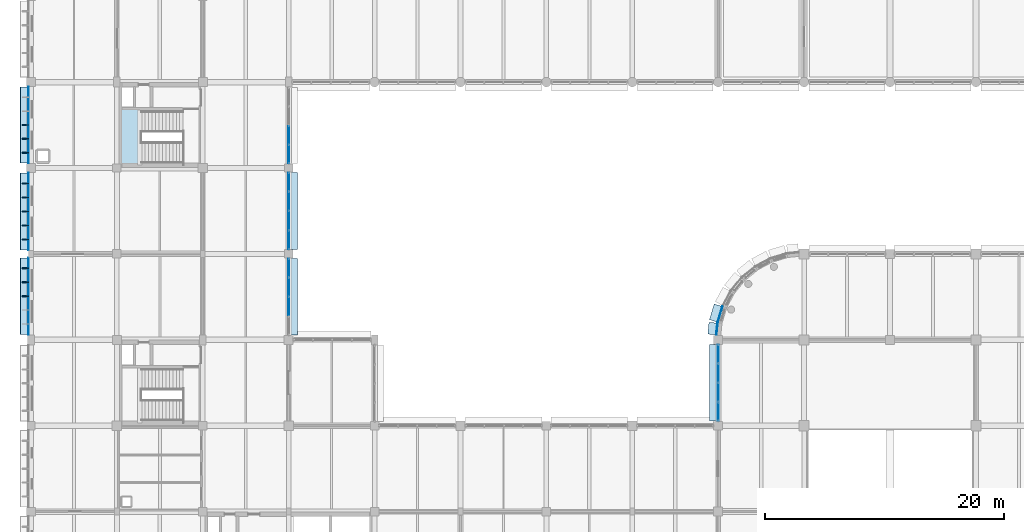
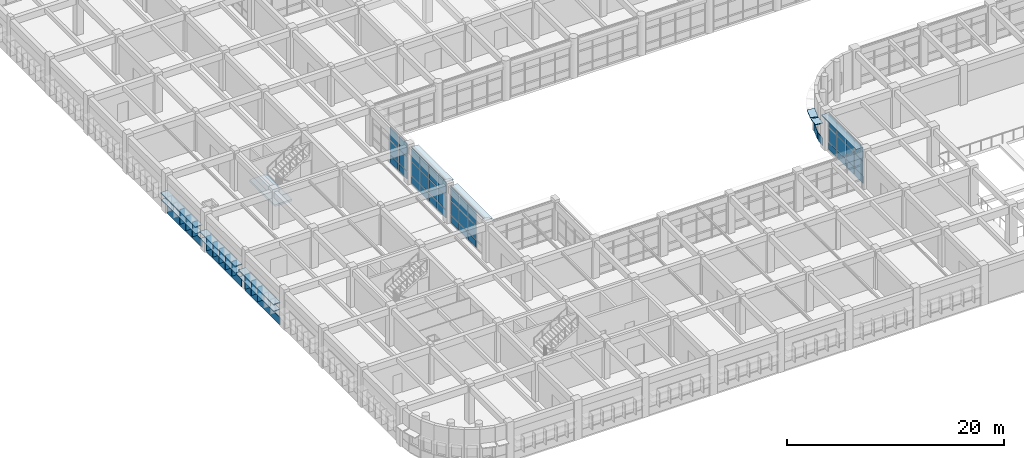
# One storey, part 120 of 171: 66 plates, 1 slab, 5 elements without a shape of their own.
"""IFC4 building model written with IfcOpenShell, lengths in metres."""

from ifc_helpers import new_model, si_unit, direction, frame, origin, origin_2d, place, context, subcontext, project, spatial, polyline, rectangle, outline, extrude, material, layer, layer_set, type_object, element, aggregate, save


model = new_model("IFC4")

# Units and contexts
model_context = context("Model", 3, precision=1e-05, world=origin(), true_north=direction((0.0, 1.0)))
body_context = subcontext(model_context, "Body", "Model", "MODEL_VIEW")
ifc_project = project(units=[si_unit("LENGTHUNIT", "METRE"), si_unit("AREAUNIT", "SQUARE_METRE"), si_unit("VOLUMEUNIT", "CUBIC_METRE"), si_unit("PLANEANGLEUNIT", "RADIAN"), si_unit("MASSUNIT", "GRAM", prefix="KILO")], contexts=[model_context])

# Site, building, storey
site_placement = place(None, origin())
site = spatial("IfcSite", under=ifc_project, at=site_placement, CompositionType="ELEMENT")
building_placement = place(site_placement, origin())
building = spatial("IfcBuilding", under=site, at=building_placement, Name="Thalmaran Polytechnic", CompositionType="ELEMENT")
storey_placement = place(building_placement, frame((0.0, 0.0, 5.39990234375)))
storey = spatial("IfcBuildingStorey", under=building, at=storey_placement, Name="L01", CompositionType="ELEMENT", Elevation=5.39990234375)

# Plates
ifc_material_1 = material(Name="Anodised aluminium spandrel band", Category="aluminium")
ifc_layer_1 = layer(ifc_material_1, 0.054931640625, Name="Anodised aluminium spandrel band")
ifc_layer_set_1 = layer_set([ifc_layer_1], Name="Anodised aluminium spandrel band")
plate_type_1 = type_object("IfcPlateType", Name="PT-BD01", PredefinedType="SHEET", material=ifc_layer_set_1)
plate_1_placement = place(storey_placement, frame((-0.195068359375, 32.46240234375, 0.020263671875), z_axis=(0.0, 0.0, 1.0), x_axis=(0.0, 1.0, 0.0)))
element("IfcPlate", 1, at=plate_1_placement, inside=storey, type_object=plate_type_1, Name="Streamline Horizontal Spandrel Band L01-005", PredefinedType="SHEET", context=body_context, shape_type="SweptSolid", body=[
    extrude(rectangle(XDim=6.43505859375, YDim=0.054931640625, at=origin_2d()), origin(), (0.0, 0.0, 1.0), 0.8798828125),
])
plate_2_placement = place(storey_placement, frame((-0.195068359375, 39.554931640625, 0.020263671875), z_axis=(0.0, 0.0, 1.0), x_axis=(0.0, 1.0, 0.0)))
element("IfcPlate", 2, at=plate_2_placement, inside=storey, type_object=plate_type_1, Name="Streamline Horizontal Spandrel Band L01-006", PredefinedType="SHEET", context=body_context, shape_type="SweptSolid", body=[
    extrude(rectangle(XDim=6.469970703125, YDim=0.054931640625, at=origin_2d()), origin(), (0.0, 0.0, 1.0), 0.8798828125),
])
plate_3_placement = place(storey_placement, frame((-0.195068359375, 46.8076171875, 0.020263671875), z_axis=(0.0, 0.0, 1.0), x_axis=(0.0, 1.0, 0.0)))
element("IfcPlate", 3, at=plate_3_placement, inside=storey, type_object=plate_type_1, Name="Streamline Horizontal Spandrel Band L01-007", PredefinedType="SHEET", context=body_context, shape_type="SweptSolid", body=[
    extrude(rectangle(XDim=6.39501953125, YDim=0.054931640625, at=origin_2d()), origin(), (0.0, 0.0, 1.0), 0.8798828125),
])
plate_4_placement = place(storey_placement, frame((57.493408203125, 29.7080078125, 0.020263671875), z_axis=(0.0, 0.0, 1.0), x_axis=(0.09801714033, 0.995184726672, 0.0)))
element("IfcPlate", 4, at=plate_4_placement, inside=storey, type_object=plate_type_1, Name="Streamline Horizontal Spandrel Band L01-180", PredefinedType="SHEET", context=body_context, shape_type="SweptSolid", body=[
    extrude(rectangle(XDim=0.996337890625, YDim=0.054931640625, at=origin_2d()), origin(), (0.0, 0.0, 1.0), 0.8798828125),
])
plate_5_placement = place(storey_placement, frame((57.756591796875, 30.9365234375, 0.020263671875), z_axis=(0.0, 0.0, 1.0), x_axis=(0.290284677254, 0.956940335732, 0.0)))
element("IfcPlate", 5, at=plate_5_placement, inside=storey, type_object=plate_type_1, Name="Streamline Horizontal Spandrel Band L01-181", PredefinedType="SHEET", context=body_context, shape_type="SweptSolid", body=[
    extrude(rectangle(XDim=1.371337890625, YDim=0.054931640625, at=origin_2d()), origin(), (0.0, 0.0, 1.0), 0.8798828125),
])
ifc_material_2 = material(Name="Anodised aluminium sun-hood eyebrow", Category="aluminium")
ifc_layer_2 = layer(ifc_material_2, 0.0849609375, Name="Anodised aluminium sun-hood eyebrow")
ifc_layer_set_2 = layer_set([ifc_layer_2], Name="Anodised aluminium sun-hood eyebrow")
plate_type_2 = type_object("IfcPlateType", Name="PT-EB01", PredefinedType="SHEET", material=ifc_layer_set_2)
plate_6_placement = place(storey_placement, frame((-0.5400390625, 32.46240234375, 2.517578125), z_axis=(0.0, 0.0, 1.0), x_axis=(0.0, 1.0, 0.0)))
element("IfcPlate", 6, at=plate_6_placement, inside=storey, type_object=plate_type_2, Name="Streamline Sun-Hood Eyebrow L01-005", PredefinedType="SHEET", context=body_context, shape_type="SweptSolid", body=[
    extrude(rectangle(XDim=6.43505859375, YDim=0.760009765625, at=origin_2d()), origin(), (0.0, 0.0, 1.0), 0.0849609375),
])
plate_7_placement = place(storey_placement, frame((-0.52001953125, 32.46240234375, 1.74267578125), z_axis=(0.0, 0.0, 1.0), x_axis=(0.0, 1.0, 0.0)))
element("IfcPlate", 7, at=plate_7_placement, inside=storey, type_object=plate_type_2, Name="Abu Dhabi Horizontal Solar Louvre L01-005", PredefinedType="SHEET", context=body_context, shape_type="SweptSolid", body=[
    extrude(rectangle(XDim=6.39501953125, YDim=0.719970703125, at=origin_2d()), origin(), (0.0, 0.0, 1.0), 0.074951171875),
])
plate_8_placement = place(storey_placement, frame((-0.5400390625, 39.554931640625, 2.517578125), z_axis=(0.0, 0.0, 1.0), x_axis=(0.0, 1.0, 0.0)))
element("IfcPlate", 8, at=plate_8_placement, inside=storey, type_object=plate_type_2, Name="Streamline Sun-Hood Eyebrow L01-006", PredefinedType="SHEET", context=body_context, shape_type="SweptSolid", body=[
    extrude(rectangle(XDim=6.469970703125, YDim=0.760009765625, at=origin_2d()), origin(), (0.0, 0.0, 1.0), 0.0849609375),
])
plate_9_placement = place(storey_placement, frame((-0.52001953125, 39.554931640625, 1.74267578125), z_axis=(0.0, 0.0, 1.0), x_axis=(0.0, 1.0, 0.0)))
element("IfcPlate", 9, at=plate_9_placement, inside=storey, type_object=plate_type_2, Name="Abu Dhabi Horizontal Solar Louvre L01-006", PredefinedType="SHEET", context=body_context, shape_type="SweptSolid", body=[
    extrude(rectangle(XDim=6.429931640625, YDim=0.719970703125, at=origin_2d()), origin(), (0.0, 0.0, 1.0), 0.074951171875),
])
plate_10_placement = place(storey_placement, frame((-0.5400390625, 46.8076171875, 2.517578125), z_axis=(0.0, 0.0, 1.0), x_axis=(0.0, 1.0, 0.0)))
element("IfcPlate", 10, at=plate_10_placement, inside=storey, type_object=plate_type_2, Name="Streamline Sun-Hood Eyebrow L01-007", PredefinedType="SHEET", context=body_context, shape_type="SweptSolid", body=[
    extrude(rectangle(XDim=6.39501953125, YDim=0.760009765625, at=origin_2d()), origin(), (0.0, 0.0, 1.0), 0.0849609375),
])
plate_11_placement = place(storey_placement, frame((-0.52001953125, 46.8076171875, 1.74267578125), z_axis=(0.0, 0.0, 1.0), x_axis=(0.0, 1.0, 0.0)))
element("IfcPlate", 11, at=plate_11_placement, inside=storey, type_object=plate_type_2, Name="Abu Dhabi Horizontal Solar Louvre L01-007", PredefinedType="SHEET", context=body_context, shape_type="SweptSolid", body=[
    extrude(rectangle(XDim=6.35498046875, YDim=0.719970703125, at=origin_2d()), origin(), (0.0, 0.0, 1.0), 0.074951171875),
])
plate_12_placement = place(storey_placement, frame((21.9599609375, 39.60498046875, 4.107666015625), z_axis=(0.0, 0.0, 1.0), x_axis=(0.0, -1.0, 0.0)))
element("IfcPlate", 12, at=plate_12_placement, inside=storey, type_object=plate_type_2, Name="Streamline Sun-Hood Eyebrow L01-CW159", PredefinedType="SHEET", context=body_context, shape_type="SweptSolid", body=[
    extrude(rectangle(XDim=6.449951171875, YDim=0.760009765625, at=origin_2d()), origin(), (0.0, 0.0, 1.0), 0.0849609375),
])
plate_13_placement = place(storey_placement, frame((21.9599609375, 32.407470703125, 4.107666015625), z_axis=(0.0, 0.0, 1.0), x_axis=(0.0, -1.0, 0.0)))
element("IfcPlate", 13, at=plate_13_placement, inside=storey, type_object=plate_type_2, Name="Streamline Sun-Hood Eyebrow L01-CW160", PredefinedType="SHEET", context=body_context, shape_type="SweptSolid", body=[
    extrude(rectangle(XDim=6.425048828125, YDim=0.760009765625, at=origin_2d()), origin(), (0.0, 0.0, 1.0), 0.0849609375),
])
plate_14_placement = place(storey_placement, frame((57.239990234375, 25.199951171875, 4.107666015625), z_axis=(0.0, 0.0, 1.0), x_axis=(0.0, 1.0, 0.0)))
element("IfcPlate", 14, at=plate_14_placement, inside=storey, type_object=plate_type_2, Name="Streamline Sun-Hood Eyebrow L01-CW167", PredefinedType="SHEET", context=body_context, shape_type="SweptSolid", body=[
    extrude(rectangle(XDim=6.409912109375, YDim=0.760009765625, at=origin_2d()), origin(), (0.0, 0.0, 1.0), 0.0849609375),
])
plate_15_placement = place(storey_placement, frame((57.150146484375, 29.741943359375, 2.517578125), z_axis=(0.0, 0.0, 1.0), x_axis=(0.09801714033, 0.995184726672, 0.0)))
element("IfcPlate", 15, at=plate_15_placement, inside=storey, type_object=plate_type_2, Name="Streamline Sun-Hood Eyebrow L01-180", PredefinedType="SHEET", context=body_context, shape_type="SweptSolid", body=[
    extrude(rectangle(XDim=0.996337890625, YDim=0.760009765625, at=origin_2d()), origin(), (0.0, 0.0, 1.0), 0.0849609375),
])
plate_16_placement = place(storey_placement, frame((57.426513671875, 31.03662109375, 2.517578125), z_axis=(0.0, 0.0, 1.0), x_axis=(0.290284677254, 0.956940335732, 0.0)))
element("IfcPlate", 16, at=plate_16_placement, inside=storey, type_object=plate_type_2, Name="Streamline Sun-Hood Eyebrow L01-181", PredefinedType="SHEET", context=body_context, shape_type="SweptSolid", body=[
    extrude(rectangle(XDim=1.371337890625, YDim=0.760009765625, at=origin_2d()), origin(), (0.0, 0.0, 1.0), 0.0849609375),
])
ifc_material_3 = material(Name="Anodised bronze brise-soleil fin")
ifc_layer_3 = layer(ifc_material_3, 0.06494140625, Name="Anodised bronze brise-soleil fin")
ifc_layer_set_3 = layer_set([ifc_layer_3], Name="Anodised bronze brise-soleil fin")
plate_type_3 = type_object("IfcPlateType", Name="PT-FN01", PredefinedType="SHEET", material=ifc_layer_set_3)
for number, where, z_axis, x_axis, name in (
    (17, (-0.4599609375, 32.46240234375, 0.895263671875), (0.0, 0.0, 1.0), (0.0, 1.0, 0.0), "Abu Dhabi Solar Brise-Soleil Fin L01-005-3"),
    (18, (-0.4599609375, 33.6279296875, 0.895263671875), (0.0, 0.0, 1.0), (0.0, 1.0, 0.0), "Abu Dhabi Solar Brise-Soleil Fin L01-005-4"),
    (19, (-0.4599609375, 34.79345703125, 0.895263671875), (0.0, 0.0, 1.0), (0.0, 1.0, 0.0), "Abu Dhabi Solar Brise-Soleil Fin L01-005-5"),
    (20, (-0.4599609375, 37.21142578125, 0.895263671875), (0.0, 0.0, 1.0), (0.0, 1.0, 0.0), "Abu Dhabi Solar Brise-Soleil Fin L01-006-1"),
    (21, (-0.4599609375, 38.38330078125, 0.895263671875), (0.0, 0.0, 1.0), (0.0, 1.0, 0.0), "Abu Dhabi Solar Brise-Soleil Fin L01-006-2"),
    (22, (-0.4599609375, 39.554931640625, 0.895263671875), (0.0, 0.0, 1.0), (0.0, 1.0, 0.0), "Abu Dhabi Solar Brise-Soleil Fin L01-006-3"),
    (23, (-0.4599609375, 40.726806640625, 0.895263671875), (0.0, 0.0, 1.0), (0.0, 1.0, 0.0), "Abu Dhabi Solar Brise-Soleil Fin L01-006-4"),
    (24, (-0.4599609375, 41.898681640625, 0.895263671875), (0.0, 0.0, 1.0), (0.0, 1.0, 0.0), "Abu Dhabi Solar Brise-Soleil Fin L01-006-5"),
    (25, (-0.4599609375, 44.490966796875, 0.895263671875), (0.0, 0.0, 1.0), (0.0, 1.0, 0.0), "Abu Dhabi Solar Brise-Soleil Fin L01-007-1"),
    (26, (-0.4599609375, 45.649169921875, 0.895263671875), (0.0, 0.0, 1.0), (0.0, 1.0, 0.0), "Abu Dhabi Solar Brise-Soleil Fin L01-007-2"),
    (27, (-0.4599609375, 46.8076171875, 0.895263671875), (0.0, 0.0, 1.0), (0.0, 1.0, 0.0), "Abu Dhabi Solar Brise-Soleil Fin L01-007-3"),
):
    element("IfcPlate", number, at=place(storey_placement, frame(where, z_axis=z_axis, x_axis=x_axis)), inside=storey, type_object=plate_type_3, Name=name, PredefinedType="SHEET", context=body_context, shape_type="SweptSolid", body=[
        extrude(rectangle(XDim=0.06494140625, YDim=0.56005859375, at=origin_2d()), origin(), (0.0, 0.0, 1.0), 1.64990234375),
    ])

# Curtain wall, plates
ifc_material_4 = material(Name="Aluminium 6063-T6", Category="aluminium")
curtain_wall_type = type_object("IfcCurtainWallType", Name="CW-UC02", PredefinedType="USERDEFINED", material=ifc_material_4)
curtain_wall_1_placement = place(storey_placement, origin())
curtain_wall_1 = element("IfcCurtainWall", 28, at=curtain_wall_1_placement, inside=storey, type_object=curtain_wall_type, Name="Curtain Wall CW-L01-160", ObjectType="UNITISED CURTAIN WALL", PredefinedType="USERDEFINED")
ifc_material_5 = material(Name="Solar-control double low-E glass", Category="glass")
ifc_layer_4 = layer(ifc_material_5, 0.035888671875, Name="Solar-control double low-E glass")
ifc_layer_set_4 = layer_set([ifc_layer_4], Name="Solar-control double low-E glass")
plate_type_4 = type_object("IfcPlateType", Name="PT-GL01", PredefinedType="CURTAIN_PANEL", material=ifc_layer_set_4)
plate_17_placement = place(storey_placement, frame((21.60009765625, 34.831787109375, 1.000244140625), z_axis=(0.0, 0.0, 1.0), x_axis=(0.0, -1.0, 0.0)))
plate_17 = element("IfcPlate", 29, at=plate_17_placement, type_object=plate_type_4, Name="CW-L01-160 Vision Panel 1-2", PredefinedType="CURTAIN_PANEL", context=body_context, shape_type="SweptSolid", body=[
    extrude(rectangle(XDim=1.51611328125, YDim=0.035888671875, at=origin_2d()), origin(), (0.0, 0.0, 1.0), 1.544921875),
])
plate_18_placement = place(storey_placement, frame((21.60009765625, 34.831787109375, 2.625), z_axis=(0.0, 0.0, 1.0), x_axis=(0.0, -1.0, 0.0)))
plate_18 = element("IfcPlate", 30, at=plate_18_placement, type_object=plate_type_4, Name="CW-L01-160 Vision Panel 1-3", PredefinedType="CURTAIN_PANEL", context=body_context, shape_type="SweptSolid", body=[
    extrude(rectangle(XDim=1.51611328125, YDim=0.035888671875, at=origin_2d()), origin(), (0.0, 0.0, 1.0), 1.485107421875),
])
plate_19_placement = place(storey_placement, frame((21.60009765625, 33.215576171875, 1.000244140625), z_axis=(0.0, 0.0, 1.0), x_axis=(0.0, -1.0, 0.0)))
plate_19 = element("IfcPlate", 31, at=plate_19_placement, type_object=plate_type_4, Name="CW-L01-160 Vision Panel 2-2", PredefinedType="CURTAIN_PANEL", context=body_context, shape_type="SweptSolid", body=[
    extrude(rectangle(XDim=1.516357421875, YDim=0.035888671875, at=origin_2d()), origin(), (0.0, 0.0, 1.0), 1.544921875),
])
plate_20_placement = place(storey_placement, frame((21.60009765625, 33.215576171875, 2.625), z_axis=(0.0, 0.0, 1.0), x_axis=(0.0, -1.0, 0.0)))
plate_20 = element("IfcPlate", 32, at=plate_20_placement, type_object=plate_type_4, Name="CW-L01-160 Vision Panel 2-3", PredefinedType="CURTAIN_PANEL", context=body_context, shape_type="SweptSolid", body=[
    extrude(rectangle(XDim=1.516357421875, YDim=0.035888671875, at=origin_2d()), origin(), (0.0, 0.0, 1.0), 1.485107421875),
])
plate_21_placement = place(storey_placement, frame((21.60009765625, 31.599365234375, 1.000244140625), z_axis=(0.0, 0.0, 1.0), x_axis=(0.0, -1.0, 0.0)))
plate_21 = element("IfcPlate", 33, at=plate_21_placement, type_object=plate_type_4, Name="CW-L01-160 Vision Panel 3-2", PredefinedType="CURTAIN_PANEL", context=body_context, shape_type="SweptSolid", body=[
    extrude(rectangle(XDim=1.516357421875, YDim=0.035888671875, at=origin_2d()), origin(), (0.0, 0.0, 1.0), 1.544921875),
])
plate_22_placement = place(storey_placement, frame((21.60009765625, 31.599365234375, 2.625), z_axis=(0.0, 0.0, 1.0), x_axis=(0.0, -1.0, 0.0)))
plate_22 = element("IfcPlate", 34, at=plate_22_placement, type_object=plate_type_4, Name="CW-L01-160 Vision Panel 3-3", PredefinedType="CURTAIN_PANEL", context=body_context, shape_type="SweptSolid", body=[
    extrude(rectangle(XDim=1.516357421875, YDim=0.035888671875, at=origin_2d()), origin(), (0.0, 0.0, 1.0), 1.485107421875),
])

curtain_wall_2_placement = place(storey_placement, origin())
curtain_wall_2 = element("IfcCurtainWall", 35, at=curtain_wall_2_placement, inside=storey, type_object=curtain_wall_type, Name="Curtain Wall CW-L01-167", ObjectType="UNITISED CURTAIN WALL", PredefinedType="USERDEFINED")
ifc_layer_5 = layer(ifc_material_5, 0.035888671875, Name="Solar-control double low-E glass")
ifc_layer_set_5 = layer_set([ifc_layer_5], Name="Solar-control double low-E glass")
plate_type_5 = type_object("IfcPlateType", Name="PT-GL03", PredefinedType="CURTAIN_PANEL", material=ifc_layer_set_5)
plate_23_placement = place(storey_placement, frame((57.60009765625, 22.78125, 1.000244140625), z_axis=(0.0, 0.0, 1.0), x_axis=(0.0, 1.0, 0.0)))
plate_23 = element("IfcPlate", 36, at=plate_23_placement, type_object=plate_type_5, Name="CW-L01-167 Vision Panel 1-2", PredefinedType="CURTAIN_PANEL", context=body_context, shape_type="SweptSolid", body=[
    extrude(rectangle(XDim=1.512451171875, YDim=0.035888671875, at=origin_2d()), origin(), (0.0, 0.0, 1.0), 1.544921875),
])
plate_24_placement = place(storey_placement, frame((57.60009765625, 22.78125, 2.625), z_axis=(0.0, 0.0, 1.0), x_axis=(0.0, 1.0, 0.0)))
plate_24 = element("IfcPlate", 37, at=plate_24_placement, type_object=plate_type_5, Name="CW-L01-167 Vision Panel 1-3", PredefinedType="CURTAIN_PANEL", context=body_context, shape_type="SweptSolid", body=[
    extrude(rectangle(XDim=1.512451171875, YDim=0.035888671875, at=origin_2d()), origin(), (0.0, 0.0, 1.0), 1.485107421875),
])
plate_25_placement = place(storey_placement, frame((57.60009765625, 24.393798828125, 1.000244140625), z_axis=(0.0, 0.0, 1.0), x_axis=(0.0, 1.0, 0.0)))
plate_25 = element("IfcPlate", 38, at=plate_25_placement, type_object=plate_type_5, Name="CW-L01-167 Vision Panel 2-2", PredefinedType="CURTAIN_PANEL", context=body_context, shape_type="SweptSolid", body=[
    extrude(rectangle(XDim=1.512451171875, YDim=0.035888671875, at=origin_2d()), origin(), (0.0, 0.0, 1.0), 1.544921875),
])
plate_26_placement = place(storey_placement, frame((57.60009765625, 24.393798828125, 2.625), z_axis=(0.0, 0.0, 1.0), x_axis=(0.0, 1.0, 0.0)))
plate_26 = element("IfcPlate", 39, at=plate_26_placement, type_object=plate_type_5, Name="CW-L01-167 Vision Panel 2-3", PredefinedType="CURTAIN_PANEL", context=body_context, shape_type="SweptSolid", body=[
    extrude(rectangle(XDim=1.512451171875, YDim=0.035888671875, at=origin_2d()), origin(), (0.0, 0.0, 1.0), 1.485107421875),
])
plate_27_placement = place(storey_placement, frame((57.60009765625, 26.00634765625, 1.000244140625), z_axis=(0.0, 0.0, 1.0), x_axis=(0.0, 1.0, 0.0)))
plate_27 = element("IfcPlate", 40, at=plate_27_placement, type_object=plate_type_5, Name="CW-L01-167 Vision Panel 3-2", PredefinedType="CURTAIN_PANEL", context=body_context, shape_type="SweptSolid", body=[
    extrude(rectangle(XDim=1.512451171875, YDim=0.035888671875, at=origin_2d()), origin(), (0.0, 0.0, 1.0), 1.544921875),
])
plate_28_placement = place(storey_placement, frame((57.60009765625, 26.00634765625, 2.625), z_axis=(0.0, 0.0, 1.0), x_axis=(0.0, 1.0, 0.0)))
plate_28 = element("IfcPlate", 41, at=plate_28_placement, type_object=plate_type_5, Name="CW-L01-167 Vision Panel 3-3", PredefinedType="CURTAIN_PANEL", context=body_context, shape_type="SweptSolid", body=[
    extrude(rectangle(XDim=1.512451171875, YDim=0.035888671875, at=origin_2d()), origin(), (0.0, 0.0, 1.0), 1.485107421875),
])
plate_29_placement = place(storey_placement, frame((57.60009765625, 27.61865234375, 1.000244140625), z_axis=(0.0, 0.0, 1.0), x_axis=(0.0, 1.0, 0.0)))
plate_29 = element("IfcPlate", 42, at=plate_29_placement, type_object=plate_type_5, Name="CW-L01-167 Vision Panel 4-2", PredefinedType="CURTAIN_PANEL", context=body_context, shape_type="SweptSolid", body=[
    extrude(rectangle(XDim=1.512451171875, YDim=0.035888671875, at=origin_2d()), origin(), (0.0, 0.0, 1.0), 1.544921875),
])
plate_30_placement = place(storey_placement, frame((57.60009765625, 27.61865234375, 2.625), z_axis=(0.0, 0.0, 1.0), x_axis=(0.0, 1.0, 0.0)))
plate_30 = element("IfcPlate", 43, at=plate_30_placement, type_object=plate_type_5, Name="CW-L01-167 Vision Panel 4-3", PredefinedType="CURTAIN_PANEL", context=body_context, shape_type="SweptSolid", body=[
    extrude(rectangle(XDim=1.512451171875, YDim=0.035888671875, at=origin_2d()), origin(), (0.0, 0.0, 1.0), 1.485107421875),
])

curtain_wall_3_placement = place(storey_placement, origin())
curtain_wall_3 = element("IfcCurtainWall", 44, at=curtain_wall_3_placement, inside=storey, type_object=curtain_wall_type, Name="Curtain Wall CW-L01-158", ObjectType="UNITISED CURTAIN WALL", PredefinedType="USERDEFINED")
ifc_layer_6 = layer(ifc_material_5, 0.035888671875, Name="Solar-control double low-E glass")
ifc_layer_set_6 = layer_set([ifc_layer_6], Name="Solar-control double low-E glass")
plate_type_6 = type_object("IfcPlateType", Name="PT-GL04", PredefinedType="CURTAIN_PANEL", material=ifc_layer_set_6)
plate_31_placement = place(storey_placement, frame((21.60009765625, 45.95947265625, 1.000244140625), z_axis=(0.0, 0.0, 1.0), x_axis=(0.0, -1.0, 0.0)))
plate_31 = element("IfcPlate", 45, at=plate_31_placement, type_object=plate_type_6, Name="CW-L01-158 Vision Panel 3-2", PredefinedType="CURTAIN_PANEL", context=body_context, shape_type="SweptSolid", body=[
    extrude(rectangle(XDim=1.50634765625, YDim=0.035888671875, at=origin_2d()), origin(), (0.0, 0.0, 1.0), 1.544921875),
])
plate_32_placement = place(storey_placement, frame((21.60009765625, 45.95947265625, 2.625), z_axis=(0.0, 0.0, 1.0), x_axis=(0.0, -1.0, 0.0)))
plate_32 = element("IfcPlate", 46, at=plate_32_placement, type_object=plate_type_6, Name="CW-L01-158 Vision Panel 3-3", PredefinedType="CURTAIN_PANEL", context=body_context, shape_type="SweptSolid", body=[
    extrude(rectangle(XDim=1.50634765625, YDim=0.035888671875, at=origin_2d()), origin(), (0.0, 0.0, 1.0), 1.485107421875),
])
plate_33_placement = place(storey_placement, frame((21.60009765625, 44.35302734375, 1.000244140625), z_axis=(0.0, 0.0, 1.0), x_axis=(0.0, -1.0, 0.0)))
plate_33 = element("IfcPlate", 47, at=plate_33_placement, type_object=plate_type_6, Name="CW-L01-158 Vision Panel 4-2", PredefinedType="CURTAIN_PANEL", context=body_context, shape_type="SweptSolid", body=[
    extrude(rectangle(XDim=1.50634765625, YDim=0.035888671875, at=origin_2d()), origin(), (0.0, 0.0, 1.0), 1.544921875),
])
plate_34_placement = place(storey_placement, frame((21.60009765625, 44.35302734375, 2.625), z_axis=(0.0, 0.0, 1.0), x_axis=(0.0, -1.0, 0.0)))
plate_34 = element("IfcPlate", 48, at=plate_34_placement, type_object=plate_type_6, Name="CW-L01-158 Vision Panel 4-3", PredefinedType="CURTAIN_PANEL", context=body_context, shape_type="SweptSolid", body=[
    extrude(rectangle(XDim=1.50634765625, YDim=0.035888671875, at=origin_2d()), origin(), (0.0, 0.0, 1.0), 1.485107421875),
])

curtain_wall_4_placement = place(storey_placement, origin())
curtain_wall_4 = element("IfcCurtainWall", 49, at=curtain_wall_4_placement, inside=storey, type_object=curtain_wall_type, Name="Curtain Wall CW-L01-159", ObjectType="UNITISED CURTAIN WALL", PredefinedType="USERDEFINED")
ifc_layer_7 = layer(ifc_material_5, 0.035888671875, Name="Solar-control double low-E glass")
ifc_layer_set_7 = layer_set([ifc_layer_7], Name="Solar-control double low-E glass")
plate_type_7 = type_object("IfcPlateType", Name="PT-GL05", PredefinedType="CURTAIN_PANEL", material=ifc_layer_set_7)
plate_35_placement = place(storey_placement, frame((21.60009765625, 42.038818359375, 1.000244140625), z_axis=(0.0, 0.0, 1.0), x_axis=(0.0, -1.0, 0.0)))
plate_35 = element("IfcPlate", 50, at=plate_35_placement, type_object=plate_type_7, Name="CW-L01-159 Vision Panel 1-2", PredefinedType="CURTAIN_PANEL", context=body_context, shape_type="SweptSolid", body=[
    extrude(rectangle(XDim=1.5224609375, YDim=0.035888671875, at=origin_2d()), origin(), (0.0, 0.0, 1.0), 1.544921875),
])
plate_36_placement = place(storey_placement, frame((21.60009765625, 42.038818359375, 2.625), z_axis=(0.0, 0.0, 1.0), x_axis=(0.0, -1.0, 0.0)))
plate_36 = element("IfcPlate", 51, at=plate_36_placement, type_object=plate_type_7, Name="CW-L01-159 Vision Panel 1-3", PredefinedType="CURTAIN_PANEL", context=body_context, shape_type="SweptSolid", body=[
    extrude(rectangle(XDim=1.5224609375, YDim=0.035888671875, at=origin_2d()), origin(), (0.0, 0.0, 1.0), 1.485107421875),
])
plate_37_placement = place(storey_placement, frame((21.60009765625, 40.416259765625, 1.000244140625), z_axis=(0.0, 0.0, 1.0), x_axis=(0.0, -1.0, 0.0)))
plate_37 = element("IfcPlate", 52, at=plate_37_placement, type_object=plate_type_7, Name="CW-L01-159 Vision Panel 2-2", PredefinedType="CURTAIN_PANEL", context=body_context, shape_type="SweptSolid", body=[
    extrude(rectangle(XDim=1.5224609375, YDim=0.035888671875, at=origin_2d()), origin(), (0.0, 0.0, 1.0), 1.544921875),
])
plate_38_placement = place(storey_placement, frame((21.60009765625, 40.416259765625, 2.625), z_axis=(0.0, 0.0, 1.0), x_axis=(0.0, -1.0, 0.0)))
plate_38 = element("IfcPlate", 53, at=plate_38_placement, type_object=plate_type_7, Name="CW-L01-159 Vision Panel 2-3", PredefinedType="CURTAIN_PANEL", context=body_context, shape_type="SweptSolid", body=[
    extrude(rectangle(XDim=1.5224609375, YDim=0.035888671875, at=origin_2d()), origin(), (0.0, 0.0, 1.0), 1.485107421875),
])
plate_39_placement = place(storey_placement, frame((21.60009765625, 38.793701171875, 1.000244140625), z_axis=(0.0, 0.0, 1.0), x_axis=(0.0, -1.0, 0.0)))
plate_39 = element("IfcPlate", 54, at=plate_39_placement, type_object=plate_type_7, Name="CW-L01-159 Vision Panel 3-2", PredefinedType="CURTAIN_PANEL", context=body_context, shape_type="SweptSolid", body=[
    extrude(rectangle(XDim=1.5224609375, YDim=0.035888671875, at=origin_2d()), origin(), (0.0, 0.0, 1.0), 1.544921875),
])
plate_40_placement = place(storey_placement, frame((21.60009765625, 38.793701171875, 2.625), z_axis=(0.0, 0.0, 1.0), x_axis=(0.0, -1.0, 0.0)))
plate_40 = element("IfcPlate", 55, at=plate_40_placement, type_object=plate_type_7, Name="CW-L01-159 Vision Panel 3-3", PredefinedType="CURTAIN_PANEL", context=body_context, shape_type="SweptSolid", body=[
    extrude(rectangle(XDim=1.5224609375, YDim=0.035888671875, at=origin_2d()), origin(), (0.0, 0.0, 1.0), 1.485107421875),
])
plate_41_placement = place(storey_placement, frame((21.60009765625, 37.171142578125, 1.000244140625), z_axis=(0.0, 0.0, 1.0), x_axis=(0.0, -1.0, 0.0)))
plate_41 = element("IfcPlate", 56, at=plate_41_placement, type_object=plate_type_7, Name="CW-L01-159 Vision Panel 4-2", PredefinedType="CURTAIN_PANEL", context=body_context, shape_type="SweptSolid", body=[
    extrude(rectangle(XDim=1.5224609375, YDim=0.035888671875, at=origin_2d()), origin(), (0.0, 0.0, 1.0), 1.544921875),
])
plate_42_placement = place(storey_placement, frame((21.60009765625, 37.171142578125, 2.625), z_axis=(0.0, 0.0, 1.0), x_axis=(0.0, -1.0, 0.0)))
plate_42 = element("IfcPlate", 57, at=plate_42_placement, type_object=plate_type_7, Name="CW-L01-159 Vision Panel 4-3", PredefinedType="CURTAIN_PANEL", context=body_context, shape_type="SweptSolid", body=[
    extrude(rectangle(XDim=1.5224609375, YDim=0.035888671875, at=origin_2d()), origin(), (0.0, 0.0, 1.0), 1.485107421875),
])
ifc_material_6 = material(Name="Insulated anodised aluminium spandrel", Category="aluminium")
ifc_layer_8 = layer(ifc_material_6, 0.06005859375, Name="Insulated anodised aluminium spandrel")
ifc_layer_set_8 = layer_set([ifc_layer_8], Name="Insulated anodised aluminium spandrel")
plate_type_8 = type_object("IfcPlateType", Name="PT-SP01", PredefinedType="CURTAIN_PANEL", material=ifc_layer_set_8)
plate_43_placement = place(storey_placement, frame((21.60009765625, 42.038818359375, 0.10009765625), z_axis=(0.0, 0.0, 1.0), x_axis=(0.0, -1.0, 0.0)))
plate_43 = element("IfcPlate", 58, at=plate_43_placement, type_object=plate_type_8, Name="CW-L01-159 Spandrel Panel 1-1", PredefinedType="CURTAIN_PANEL", context=body_context, shape_type="SweptSolid", body=[
    extrude(rectangle(XDim=1.5224609375, YDim=0.06005859375, at=origin_2d()), origin(), (0.0, 0.0, 1.0), 0.820068359375),
])
plate_44_placement = place(storey_placement, frame((21.60009765625, 40.416259765625, 0.10009765625), z_axis=(0.0, 0.0, 1.0), x_axis=(0.0, -1.0, 0.0)))
plate_44 = element("IfcPlate", 59, at=plate_44_placement, type_object=plate_type_8, Name="CW-L01-159 Spandrel Panel 2-1", PredefinedType="CURTAIN_PANEL", context=body_context, shape_type="SweptSolid", body=[
    extrude(rectangle(XDim=1.5224609375, YDim=0.06005859375, at=origin_2d()), origin(), (0.0, 0.0, 1.0), 0.820068359375),
])
plate_45_placement = place(storey_placement, frame((21.60009765625, 38.793701171875, 0.10009765625), z_axis=(0.0, 0.0, 1.0), x_axis=(0.0, -1.0, 0.0)))
plate_45 = element("IfcPlate", 60, at=plate_45_placement, type_object=plate_type_8, Name="CW-L01-159 Spandrel Panel 3-1", PredefinedType="CURTAIN_PANEL", context=body_context, shape_type="SweptSolid", body=[
    extrude(rectangle(XDim=1.5224609375, YDim=0.06005859375, at=origin_2d()), origin(), (0.0, 0.0, 1.0), 0.820068359375),
])
plate_46_placement = place(storey_placement, frame((21.60009765625, 37.171142578125, 0.10009765625), z_axis=(0.0, 0.0, 1.0), x_axis=(0.0, -1.0, 0.0)))
plate_46 = element("IfcPlate", 61, at=plate_46_placement, type_object=plate_type_8, Name="CW-L01-159 Spandrel Panel 4-1", PredefinedType="CURTAIN_PANEL", context=body_context, shape_type="SweptSolid", body=[
    extrude(rectangle(XDim=1.5224609375, YDim=0.06005859375, at=origin_2d()), origin(), (0.0, 0.0, 1.0), 0.820068359375),
])
aggregate(curtain_wall_4, [plate_43, plate_35, plate_36, plate_44, plate_37, plate_38, plate_45, plate_39, plate_40, plate_46, plate_41, plate_42])

# Plate
ifc_layer_9 = layer(ifc_material_6, 0.06005859375, Name="Insulated anodised aluminium spandrel")
ifc_layer_set_9 = layer_set([ifc_layer_9], Name="Insulated anodised aluminium spandrel")
plate_type_9 = type_object("IfcPlateType", Name="PT-SP02", PredefinedType="CURTAIN_PANEL", material=ifc_layer_set_9)
plate_47_placement = place(storey_placement, frame((21.60009765625, 34.831787109375, 0.10009765625), z_axis=(0.0, 0.0, 1.0), x_axis=(0.0, -1.0, 0.0)))
plate_47 = element("IfcPlate", 62, at=plate_47_placement, type_object=plate_type_9, Name="CW-L01-160 Spandrel Panel 1-1", PredefinedType="CURTAIN_PANEL", context=body_context, shape_type="SweptSolid", body=[
    extrude(rectangle(XDim=1.51611328125, YDim=0.06005859375, at=origin_2d()), origin(), (0.0, 0.0, 1.0), 0.820068359375),
])

plate_48_placement = place(storey_placement, frame((21.60009765625, 33.215576171875, 0.10009765625), z_axis=(0.0, 0.0, 1.0), x_axis=(0.0, -1.0, 0.0)))
plate_48 = element("IfcPlate", 63, at=plate_48_placement, type_object=plate_type_9, Name="CW-L01-160 Spandrel Panel 2-1", PredefinedType="CURTAIN_PANEL", context=body_context, shape_type="SweptSolid", body=[
    extrude(rectangle(XDim=1.516357421875, YDim=0.06005859375, at=origin_2d()), origin(), (0.0, 0.0, 1.0), 0.820068359375),
])

plate_49_placement = place(storey_placement, frame((21.60009765625, 31.599365234375, 0.10009765625), z_axis=(0.0, 0.0, 1.0), x_axis=(0.0, -1.0, 0.0)))
plate_49 = element("IfcPlate", 64, at=plate_49_placement, type_object=plate_type_9, Name="CW-L01-160 Spandrel Panel 3-1", PredefinedType="CURTAIN_PANEL", context=body_context, shape_type="SweptSolid", body=[
    extrude(rectangle(XDim=1.516357421875, YDim=0.06005859375, at=origin_2d()), origin(), (0.0, 0.0, 1.0), 0.820068359375),
])

aggregate(curtain_wall_1, [plate_47, plate_17, plate_18, plate_48, plate_19, plate_20, plate_49, plate_21, plate_22])

ifc_layer_10 = layer(ifc_material_6, 0.06005859375, Name="Insulated anodised aluminium spandrel")
ifc_layer_set_10 = layer_set([ifc_layer_10], Name="Insulated anodised aluminium spandrel")
plate_type_10 = type_object("IfcPlateType", Name="PT-SP03", PredefinedType="CURTAIN_PANEL", material=ifc_layer_set_10)
plate_50_placement = place(storey_placement, frame((21.60009765625, 45.95947265625, 0.10009765625), z_axis=(0.0, 0.0, 1.0), x_axis=(0.0, -1.0, 0.0)))
plate_50 = element("IfcPlate", 65, at=plate_50_placement, type_object=plate_type_10, Name="CW-L01-158 Spandrel Panel 3-1", PredefinedType="CURTAIN_PANEL", context=body_context, shape_type="SweptSolid", body=[
    extrude(rectangle(XDim=1.50634765625, YDim=0.06005859375, at=origin_2d()), origin(), (0.0, 0.0, 1.0), 0.820068359375),
])

plate_51_placement = place(storey_placement, frame((21.60009765625, 44.35302734375, 0.10009765625), z_axis=(0.0, 0.0, 1.0), x_axis=(0.0, -1.0, 0.0)))
plate_51 = element("IfcPlate", 66, at=plate_51_placement, type_object=plate_type_10, Name="CW-L01-158 Spandrel Panel 4-1", PredefinedType="CURTAIN_PANEL", context=body_context, shape_type="SweptSolid", body=[
    extrude(rectangle(XDim=1.50634765625, YDim=0.06005859375, at=origin_2d()), origin(), (0.0, 0.0, 1.0), 0.820068359375),
])

aggregate(curtain_wall_3, [plate_50, plate_31, plate_32, plate_51, plate_33, plate_34])

plate_52_placement = place(storey_placement, frame((57.60009765625, 22.78125, 0.10009765625), z_axis=(0.0, 0.0, 1.0), x_axis=(0.0, 1.0, 0.0)))
plate_52 = element("IfcPlate", 67, at=plate_52_placement, type_object=plate_type_10, Name="CW-L01-167 Spandrel Panel 1-1", PredefinedType="CURTAIN_PANEL", context=body_context, shape_type="SweptSolid", body=[
    extrude(rectangle(XDim=1.512451171875, YDim=0.06005859375, at=origin_2d()), origin(), (0.0, 0.0, 1.0), 0.820068359375),
])

plate_53_placement = place(storey_placement, frame((57.60009765625, 24.393798828125, 0.10009765625), z_axis=(0.0, 0.0, 1.0), x_axis=(0.0, 1.0, 0.0)))
plate_53 = element("IfcPlate", 68, at=plate_53_placement, type_object=plate_type_10, Name="CW-L01-167 Spandrel Panel 2-1", PredefinedType="CURTAIN_PANEL", context=body_context, shape_type="SweptSolid", body=[
    extrude(rectangle(XDim=1.512451171875, YDim=0.06005859375, at=origin_2d()), origin(), (0.0, 0.0, 1.0), 0.820068359375),
])

plate_54_placement = place(storey_placement, frame((57.60009765625, 26.00634765625, 0.10009765625), z_axis=(0.0, 0.0, 1.0), x_axis=(0.0, 1.0, 0.0)))
plate_54 = element("IfcPlate", 69, at=plate_54_placement, type_object=plate_type_10, Name="CW-L01-167 Spandrel Panel 3-1", PredefinedType="CURTAIN_PANEL", context=body_context, shape_type="SweptSolid", body=[
    extrude(rectangle(XDim=1.512451171875, YDim=0.06005859375, at=origin_2d()), origin(), (0.0, 0.0, 1.0), 0.820068359375),
])

plate_55_placement = place(storey_placement, frame((57.60009765625, 27.61865234375, 0.10009765625), z_axis=(0.0, 0.0, 1.0), x_axis=(0.0, 1.0, 0.0)))
plate_55 = element("IfcPlate", 70, at=plate_55_placement, type_object=plate_type_10, Name="CW-L01-167 Spandrel Panel 4-1", PredefinedType="CURTAIN_PANEL", context=body_context, shape_type="SweptSolid", body=[
    extrude(rectangle(XDim=1.512451171875, YDim=0.06005859375, at=origin_2d()), origin(), (0.0, 0.0, 1.0), 0.820068359375),
])

aggregate(curtain_wall_2, [plate_52, plate_23, plate_24, plate_53, plate_25, plate_26, plate_54, plate_27, plate_28, plate_55, plate_29, plate_30])

# Stair, slab
ifc_material_7 = material(Name="Concrete C40/50", Category="concrete")
stair_type = type_object("IfcStairType", Name="ST-HT45", PredefinedType="HALF_TURN_STAIR", material=ifc_material_7)
stair_placement = place(storey_placement, origin())
stair = element("IfcStair", 71, at=stair_placement, inside=storey, type_object=stair_type, Name="Exit Stair ST4 L01", PredefinedType="HALF_TURN_STAIR")
ifc_layer_11 = layer(ifc_material_7, 0.2099609375, Name="Concrete C40/50")
ifc_layer_set_11 = layer_set([ifc_layer_11], Name="Concrete C40/50")
slab_type = type_object("IfcSlabType", Name="SL-LD01", PredefinedType="LANDING", material=ifc_layer_set_11)
slab_placement = place(storey_placement, frame((0.0, 0.0, 2.0400390625)))
slab = element("IfcSlab", 72, at=slab_placement, type_object=slab_type, Name="ST4 L01 Half Landing", PredefinedType="LANDING", context=body_context, shape_type="SweptSolid", body=[
    extrude(outline(polyline([(7.43994140625, 43.43994140625), (9.260009765625, 43.43994140625), (9.260009765625, 48.139892578125), (7.43994140625, 48.139892578125), (7.43994140625, 43.43994140625)])), origin(), (0.0, 0.0, 1.0), 0.2099609375),
])
aggregate(stair, [slab])

save(model, "model.ifc")
